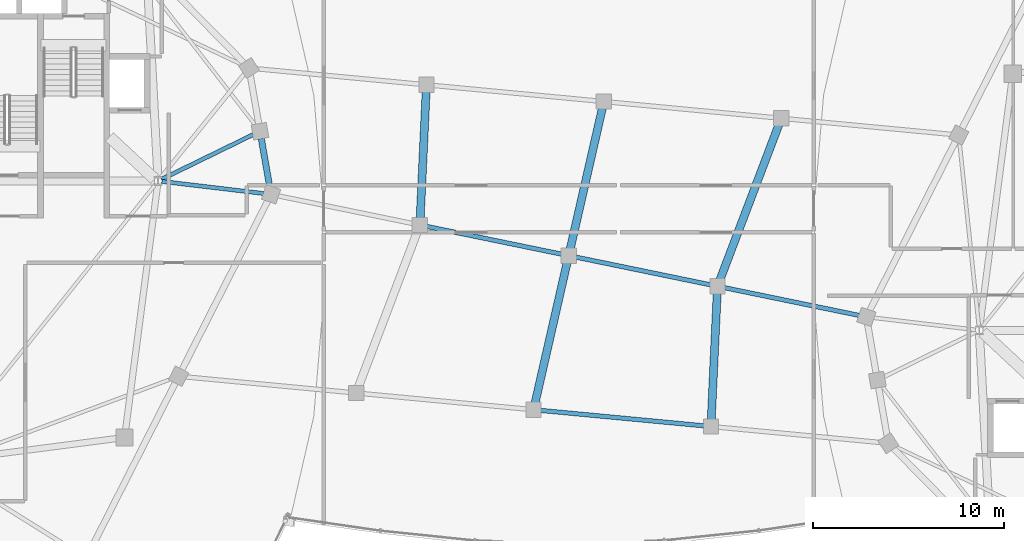
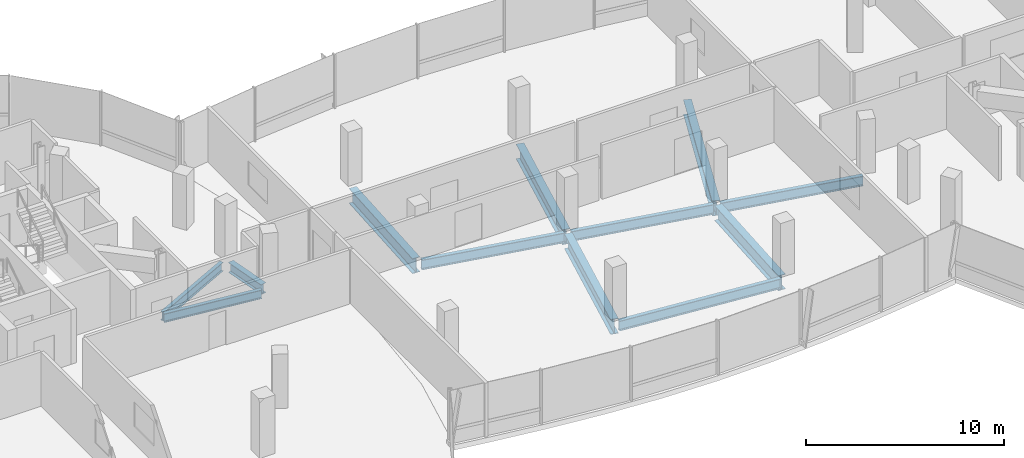
# One storey, part 5 of 25: 12 beams.
"""IFC4 building model written with IfcOpenShell, lengths in metres."""

from ifc_helpers import new_model, si_unit, direction, frame, origin, origin_2d, place, context, subcontext, project, spatial, i_section, extrude, material, material_profile, profile_set, type_object, element, save


model = new_model("IFC4")

# Units and contexts
model_context = context("Model", 3, precision=1e-05, world=origin(), true_north=direction((0.0, 1.0)))
body_context = subcontext(model_context, "Body", "Model", "MODEL_VIEW")
ifc_project = project(units=[si_unit("LENGTHUNIT", "METRE"), si_unit("AREAUNIT", "SQUARE_METRE"), si_unit("VOLUMEUNIT", "CUBIC_METRE"), si_unit("PLANEANGLEUNIT", "RADIAN"), si_unit("MASSUNIT", "GRAM", prefix="KILO"), si_unit("THERMODYNAMICTEMPERATUREUNIT", "KELVIN"), si_unit("POWERUNIT", "WATT")], contexts=[model_context])

# Site, building, storey
site_placement = place(None, origin())
site = spatial("IfcSite", under=ifc_project, at=site_placement, CompositionType="ELEMENT")
building_placement = place(site_placement, origin())
building = spatial("IfcBuilding", under=site, at=building_placement, Name="Cundina Bronze Exchange", CompositionType="ELEMENT")
storey_placement = place(building_placement, frame((0.0, 0.0, 272.0)))
storey = spatial("IfcBuildingStorey", under=building, at=storey_placement, Name="L72", CompositionType="ELEMENT", Elevation=272.0)

# Beams
ifc_material = material(Name="Steel ASTM A992 Grade 50", Category="steel")
ifc_material_profile_1 = material_profile(ifc_material, i_section(OverallWidth=0.2119140625, OverallDepth=0.5439453125, WebThickness=0.01318359375, FlangeThickness=0.021240234375, FilletRadius=0.013916015625, at=origin_2d()), Name="W21X83", Category="steel")
ifc_profile_set_1 = profile_set([ifc_material_profile_1], Name="Steel ASTM A992 Grade 50")
beam_type_1 = type_object("IfcBeamType", Name="BM-FLR-W21A", PredefinedType="BEAM", material=ifc_profile_set_1)
beam_1_placement = place(storey_placement, frame((-21.25537109375, 3.876953125, -0.531982421875), z_axis=(0.993031892142, -0.117845921393, 0.0), x_axis=(0.117845921393, 0.993031892142, 0.0)))
element("IfcBeam", 1, at=beam_1_placement, inside=storey, type_object=beam_type_1, Name="L72 Leg W Radial Floor Beam 00", PredefinedType="BEAM", context=body_context, shape_type="SweptSolid", body=[
    extrude(i_section(OverallWidth=0.2119140625, OverallDepth=0.5439453125, WebThickness=0.01318359375, FlangeThickness=0.021240234375, FilletRadius=0.013916015625, at=origin_2d()), origin(), (0.0, 0.0, 1.0), 5.357421875),
])
beam_2_placement = place(storey_placement, frame((-21.27392578125, 3.986083984375, -0.531982421875), z_axis=(0.898610260891, 0.438747762412, 0.0), x_axis=(-0.438747762412, 0.898610260891, 0.0)))
element("IfcBeam", 2, at=beam_2_placement, inside=storey, type_object=beam_type_1, Name="L72 Leg W Radial Floor Beam 01", PredefinedType="BEAM", context=body_context, shape_type="SweptSolid", body=[
    extrude(i_section(OverallWidth=0.2119140625, OverallDepth=0.5439453125, WebThickness=0.01318359375, FlangeThickness=0.021240234375, FilletRadius=0.013916015625, at=origin_2d()), origin(), (0.0, 0.0, 1.0), 5.341796875),
])
ifc_material_profile_2 = material_profile(ifc_material, i_section(OverallWidth=0.22998046875, OverallDepth=0.616943359375, WebThickness=0.01318359375, FlangeThickness=0.022216796875, FilletRadius=0.013916015625, at=origin_2d()), Name="W24X94", Category="steel")
ifc_profile_set_2 = profile_set([ifc_material_profile_2], Name="Steel ASTM A992 Grade 50")
beam_type_2 = type_object("IfcBeamType", Name="BM-FLR-W24B", PredefinedType="BEAM", material=ifc_profile_set_2)
beam_3_placement = place(storey_placement, frame((-1.658203125, -8.06689453125, -0.62841796875), z_axis=(0.995572136276, -0.094000646124, 0.0), x_axis=(0.094000646124, 0.995572136276, 0.0)))
element("IfcBeam", 3, at=beam_3_placement, inside=storey, type_object=beam_type_2, Name="L72 Sky-Gate Longitudinal Girder Y1-P3", PredefinedType="BEAM", context=body_context, shape_type="SweptSolid", body=[
    extrude(i_section(OverallWidth=0.22998046875, OverallDepth=0.616943359375, WebThickness=0.01318359375, FlangeThickness=0.022216796875, FilletRadius=0.013916015625, at=origin_2d()), origin(), (0.0, 0.0, 1.0), 8.949951171875),
])
for number, where, z_axis, x_axis, name in (
    (4, (-7.5986328125, 1.563720703125, -0.62841796875), (0.979477625294, -0.201552924934, 0.0), (0.201552924934, 0.979477625294, 0.0), "L72 Sky-Gate Longitudinal Girder Y2-P2"),
    (5, (0.17626953125, -0.036376953125, -0.62841796875), (0.979477625294, -0.201552924934, 0.0), (0.201552924934, 0.979477625294, 0.0), "L72 Sky-Gate Longitudinal Girder Y2-P3"),
    (6, (7.951416015625, -1.63623046875, -0.62841796875), (0.979471264571, -0.20158383338, 0.0), (0.20158383338, 0.979471264571, 0.0), "L72 Sky-Gate Longitudinal Girder Y2-P4"),
):
    element("IfcBeam", number, at=place(storey_placement, frame(where, z_axis=z_axis, x_axis=x_axis)), inside=storey, type_object=beam_type_2, Name=name, PredefinedType="BEAM", context=body_context, shape_type="SweptSolid", body=[
        extrude(i_section(OverallWidth=0.22998046875, OverallDepth=0.616943359375, WebThickness=0.01318359375, FlangeThickness=0.022216796875, FilletRadius=0.013916015625, at=origin_2d()), origin(), (0.0, 0.0, 1.0), 7.577880859375),
    ])
ifc_material_profile_3 = material_profile(ifc_material, i_section(OverallWidth=0.324951171875, OverallDepth=0.615966796875, WebThickness=0.013916015625, FlangeThickness=0.021484375, FilletRadius=0.01611328125, at=origin_2d()), Name="W24X117", Category="steel")
ifc_profile_set_3 = profile_set([ifc_material_profile_3], Name="Steel ASTM A992 Grade 50")
beam_type_3 = type_object("IfcBeamType", Name="BM-RING-W24", PredefinedType="USERDEFINED", material=ifc_profile_set_3)
beam_4_placement = place(storey_placement, frame((-15.61669921875, 3.582275390625, -0.568115234375), z_axis=(-0.171593362587, 0.985167862811, 0.0), x_axis=(-0.985167862811, -0.171593362587, 0.0)))
element("IfcBeam", 7, at=beam_4_placement, inside=storey, type_object=beam_type_3, Name="L72 W Perimeter Ring Girder 00", ObjectType="GIRDER", PredefinedType="USERDEFINED", context=body_context, shape_type="SweptSolid", body=[
    extrude(i_section(OverallWidth=0.324951171875, OverallDepth=0.615966796875, WebThickness=0.013916015625, FlangeThickness=0.021484375, FilletRadius=0.01611328125, at=origin_2d()), origin(), (0.0, 0.0, 1.0), 2.57373046875),
])
ifc_material_profile_4 = material_profile(ifc_material, i_section(OverallWidth=0.41796875, OverallDepth=0.927001953125, WebThickness=0.019287109375, FlangeThickness=0.031982421875, FilletRadius=0.02392578125, at=origin_2d()), Name="W36X231", Category="steel")
ifc_profile_set_4 = profile_set([ifc_material_profile_4], Name="Steel ASTM A992 Grade 50")
beam_type_4 = type_object("IfcBeamType", Name="BM-WRN-W36B", PredefinedType="USERDEFINED", material=ifc_profile_set_4)
beam_5_placement = place(storey_placement, frame((-7.7666015625, 1.77978515625, -0.783447265625), z_axis=(0.046881448177, 0.998900460415, 0.0), x_axis=(-0.998900460415, 0.046881448177, 0.0)))
element("IfcBeam", 8, at=beam_5_placement, inside=storey, type_object=beam_type_4, Name="L72 Sky-Gate Transverse Girder X1-N", ObjectType="GIRDER", PredefinedType="USERDEFINED", context=body_context, shape_type="SweptSolid", body=[
    extrude(i_section(OverallWidth=0.41796875, OverallDepth=0.927001953125, WebThickness=0.019287109375, FlangeThickness=0.031982421875, FilletRadius=0.02392578125, at=origin_2d()), origin(), (0.0, 0.0, 1.0), 6.972900390625),
])
for number, where, z_axis, x_axis, name in (
    (9, (-1.79736328125, -7.87451171875, -0.783447265625), (0.222530984599, 0.974925618134, 0.0), (-0.974925618134, 0.222530984599, 0.0), "L72 Sky-Gate Transverse Girder X2-S"),
    (10, (0.0400390625, 0.175537109375, -0.783447265625), (0.222530984599, 0.974925618134, 0.0), (-0.974925618134, 0.222530984599, 0.0), "L72 Sky-Gate Transverse Girder X2-N"),
):
    element("IfcBeam", number, at=place(storey_placement, frame(where, z_axis=z_axis, x_axis=x_axis)), inside=storey, type_object=beam_type_4, Name=name, ObjectType="GIRDER", PredefinedType="USERDEFINED", context=body_context, shape_type="SweptSolid", body=[
        extrude(i_section(OverallWidth=0.41796875, OverallDepth=0.927001953125, WebThickness=0.019287109375, FlangeThickness=0.031982421875, FilletRadius=0.02392578125, at=origin_2d()), origin(), (0.0, 0.0, 1.0), 7.89697265625),
    ])
beam_6_placement = place(storey_placement, frame((7.439697265625, -8.7451171875, -0.783447265625), z_axis=(0.046881448177, 0.998900460415, 0.0), x_axis=(-0.998900460415, 0.046881448177, 0.0)))
element("IfcBeam", 11, at=beam_6_placement, inside=storey, type_object=beam_type_4, Name="L72 Sky-Gate Transverse Girder X3-S", ObjectType="GIRDER", PredefinedType="USERDEFINED", context=body_context, shape_type="SweptSolid", body=[
    extrude(i_section(OverallWidth=0.41796875, OverallDepth=0.927001953125, WebThickness=0.019287109375, FlangeThickness=0.031982421875, FilletRadius=0.02392578125, at=origin_2d()), origin(), (0.0, 0.0, 1.0), 6.972900390625),
])
beam_7_placement = place(storey_placement, frame((7.8388671875, -1.431640625, -0.783447265625), z_axis=(0.354935532146, 0.934890778658, 0.0), x_axis=(-0.934890778658, 0.354935532146, 0.0)))
element("IfcBeam", 12, at=beam_7_placement, inside=storey, type_object=beam_type_4, Name="L72 Sky-Gate Transverse Girder X3-N", ObjectType="GIRDER", PredefinedType="USERDEFINED", context=body_context, shape_type="SweptSolid", body=[
    extrude(i_section(OverallWidth=0.41796875, OverallDepth=0.927001953125, WebThickness=0.019287109375, FlangeThickness=0.031982421875, FilletRadius=0.02392578125, at=origin_2d()), origin(), (0.0, 0.0, 1.0), 9.02587890625),
])

save(model, "model.ifc")
